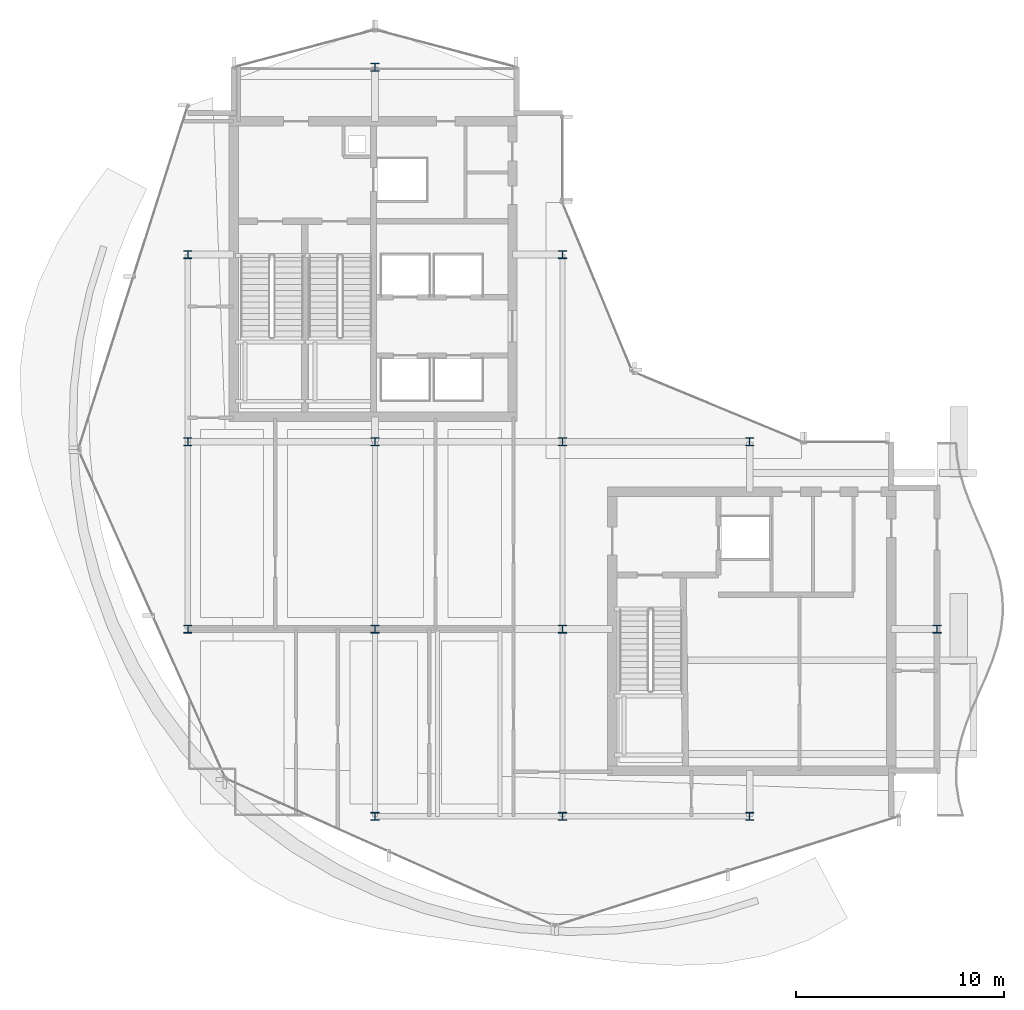
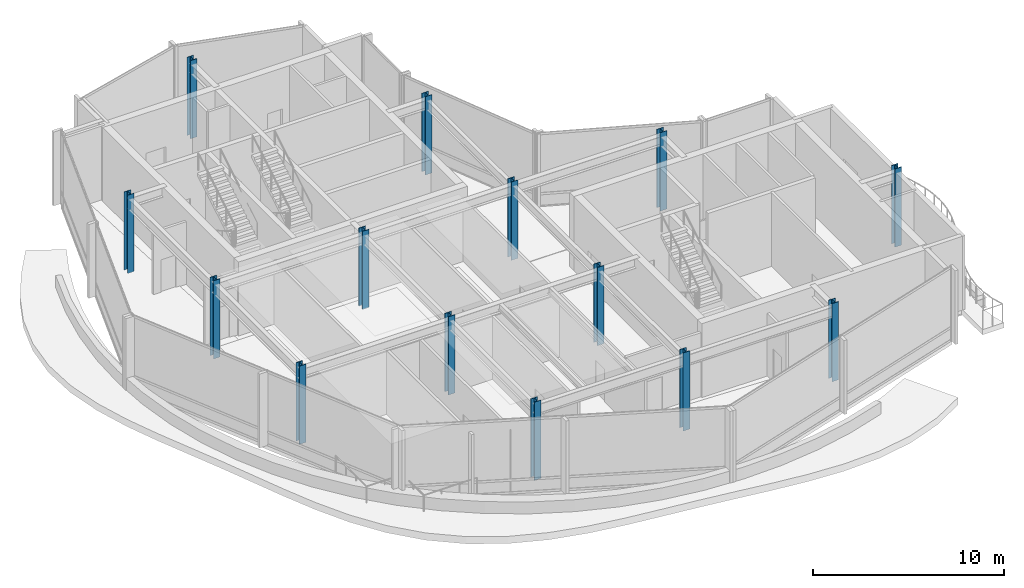
# One storey, part 1 of 23: 14 columns.
"""IFC4 building model written with IfcOpenShell, lengths in metres."""

from ifc_helpers import new_model, si_unit, direction, frame, origin, origin_2d, place, context, subcontext, project, spatial, i_section, extrude, material, material_profile, profile_set, type_object, element, save


model = new_model("IFC4")

# Units and contexts
model_context = context("Model", 3, precision=1e-05, world=origin(), true_north=direction((0.0, 1.0)))
body_context = subcontext(model_context, "Body", "Model", "MODEL_VIEW")
ifc_project = project(units=[si_unit("LENGTHUNIT", "METRE"), si_unit("AREAUNIT", "SQUARE_METRE"), si_unit("VOLUMEUNIT", "CUBIC_METRE"), si_unit("PLANEANGLEUNIT", "RADIAN"), si_unit("MASSUNIT", "GRAM", prefix="KILO")], contexts=[model_context])

# Site, building, storey
site_placement = place(None, origin())
site = spatial("IfcSite", under=ifc_project, at=site_placement, CompositionType="ELEMENT")
building_placement = place(site_placement, origin())
building = spatial("IfcBuilding", under=site, at=building_placement, Name="Solvaryn Broadcast Tower", CompositionType="ELEMENT")
storey_placement = place(building_placement, frame((0.0, 0.0, 235.800048828125)))
storey = spatial("IfcBuildingStorey", under=building, at=storey_placement, Name="L59", CompositionType="ELEMENT", Elevation=235.800048828125)

# Columns
ifc_material_1 = material(Name="Steel ASTM A913 Grade 65", Category="steel")
ifc_material_profile_1 = material_profile(ifc_material_1, i_section(OverallWidth=0.39697265625, OverallDepth=0.386962890625, WebThickness=0.02099609375, FlangeThickness=0.033203125, FilletRadius=0.014892578125, at=origin_2d()))
ifc_profile_set_1 = profile_set([ifc_material_profile_1], Name="Steel ASTM A913 Grade 65")
column_type_1 = type_object("IfcColumnType", Name="COL-C09E-W14X176", PredefinedType="COLUMN", material=ifc_profile_set_1)
for number, where, z_axis, x_axis, name in (
    (1, (9.0, 18.0, 0.0), (0.0, 0.0, 1.0), (1.0, 0.0, 0.0), "L59 Column (9.0, 18.0)"),
    (2, (9.0, 27.0, 0.0), (0.0, 0.0, 1.0), (1.0, 0.0, 0.0), "L59 Column (9.0, 27.0)"),
    (3, (9.0, 36.0, 0.0), (0.0, 0.0, 1.0), (1.0, 0.0, 0.0), "L59 Column (9.0, 36.0)"),
    (4, (18.0, 9.0, 0.0), (0.0, 0.0, 1.0), (1.0, 0.0, 0.0), "L59 Column (18.0, 9.0)"),
    (5, (18.0, 45.0, 0.0), (0.0, 0.0, 1.0), (1.0, 0.0, 0.0), "L59 Column (18.0, 45.0)"),
    (6, (27.0, 9.0, 0.0), (0.0, 0.0, 1.0), (1.0, 0.0, 0.0), "L59 Column (27.0, 9.0)"),
    (7, (27.0, 36.0, 0.0), (0.0, 0.0, 1.0), (1.0, 0.0, 0.0), "L59 Column (27.0, 36.0)"),
    (8, (36.0, 9.0, 0.0), (0.0, 0.0, 1.0), (1.0, 0.0, 0.0), "L59 Column (36.0, 9.0)"),
    (9, (36.0, 27.0, 0.0), (0.0, 0.0, 1.0), (1.0, 0.0, 0.0), "L59 Column (36.0, 27.0)"),
    (10, (45.0, 18.0, 0.0), (0.0, 0.0, 1.0), (1.0, 0.0, 0.0), "L59 Column (45.0, 18.0)"),
):
    element("IfcColumn", number, at=place(storey_placement, frame(where, z_axis=z_axis, x_axis=x_axis)), inside=storey, type_object=column_type_1, Name=name, PredefinedType="COLUMN", context=body_context, shape_type="SweptSolid", body=[
        extrude(i_section(OverallWidth=0.39697265625, OverallDepth=0.386962890625, WebThickness=0.02099609375, FlangeThickness=0.033203125, FilletRadius=0.014892578125, at=origin_2d()), origin(), (0.0, 0.0, 1.0), 5.0),
    ])
ifc_material_2 = material(Name="Steel ASTM A913 Grade 65", Category="steel")
ifc_material_profile_2 = material_profile(ifc_material_2, i_section(OverallWidth=0.39697265625, OverallDepth=0.386962890625, WebThickness=0.02099609375, FlangeThickness=0.033203125, FilletRadius=0.014892578125, at=origin_2d()))
ifc_profile_set_2 = profile_set([ifc_material_profile_2], Name="Steel ASTM A913 Grade 65")
column_type_2 = type_object("IfcColumnType", Name="COL-C09I-W14X176", PredefinedType="COLUMN", material=ifc_profile_set_2)
for number, where, z_axis, x_axis, name in (
    (11, (18.0, 18.0, 0.0), (0.0, 0.0, 1.0), (1.0, 0.0, 0.0), "L59 Column (18.0, 18.0)"),
    (12, (18.0, 27.0, 0.0), (0.0, 0.0, 1.0), (1.0, 0.0, 0.0), "L59 Column (18.0, 27.0)"),
    (13, (27.0, 18.0, 0.0), (0.0, 0.0, 1.0), (1.0, 0.0, 0.0), "L59 Column (27.0, 18.0)"),
    (14, (27.0, 27.0, 0.0), (0.0, 0.0, 1.0), (1.0, 0.0, 0.0), "L59 Column (27.0, 27.0)"),
):
    element("IfcColumn", number, at=place(storey_placement, frame(where, z_axis=z_axis, x_axis=x_axis)), inside=storey, type_object=column_type_2, Name=name, PredefinedType="COLUMN", context=body_context, shape_type="SweptSolid", body=[
        extrude(i_section(OverallWidth=0.39697265625, OverallDepth=0.386962890625, WebThickness=0.02099609375, FlangeThickness=0.033203125, FilletRadius=0.014892578125, at=origin_2d()), origin(), (0.0, 0.0, 1.0), 5.0),
    ])

save(model, "model.ifc")
